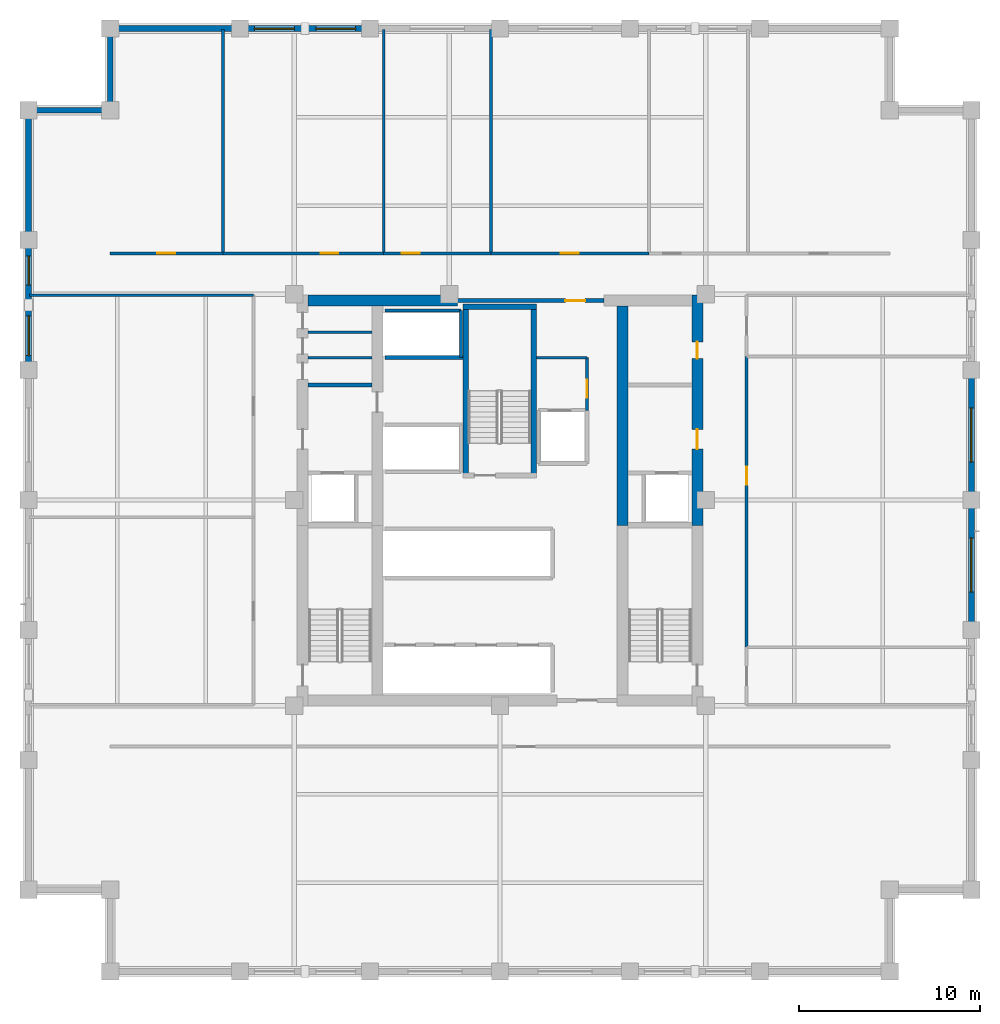
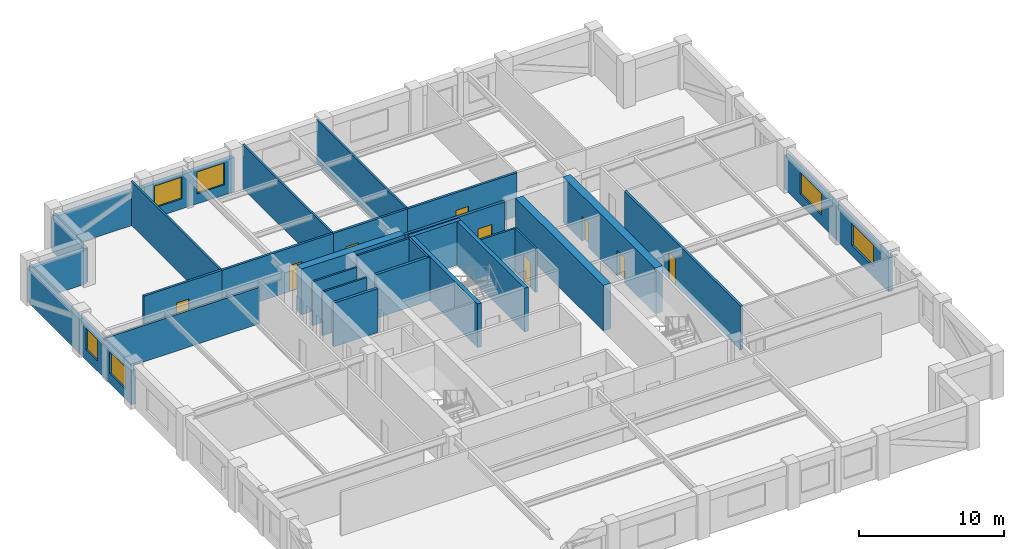
# One storey, part 7 of 9: 32 walls, 9 doors, 6 windows, 15 openings.
"""IFC4 building model written with IfcOpenShell, lengths in metres."""

from ifc_helpers import new_model, si_unit, direction, frame, frame_2d, origin, place, context, subcontext, project, spatial, rectangle, extrude, material, layer, layer_set, type_object, element, fill, save


model = new_model("IFC4")

# Units and contexts
model_context = context("Model", 3, precision=1e-05, world=origin(), true_north=direction((0.0, 1.0)))
body_context = subcontext(model_context, "Body", "Model", "MODEL_VIEW")
ifc_project = project(units=[si_unit("LENGTHUNIT", "METRE"), si_unit("AREAUNIT", "SQUARE_METRE"), si_unit("VOLUMEUNIT", "CUBIC_METRE"), si_unit("PLANEANGLEUNIT", "RADIAN"), si_unit("MASSUNIT", "GRAM", prefix="KILO")], contexts=[model_context])

# Site, building, storey
site_placement = place(None, origin())
site = spatial("IfcSite", under=ifc_project, at=site_placement, CompositionType="ELEMENT")
building_placement = place(site_placement, origin())
building = spatial("IfcBuilding", under=site, at=building_placement, Name="Nhamokura Convention Tower", CompositionType="ELEMENT")
storey_placement = place(building_placement, frame((0.0, 0.0, 118.300048828125)))
storey = spatial("IfcBuildingStorey", under=building, at=storey_placement, Name="L28", CompositionType="ELEMENT", Elevation=118.300048828125)

# Walls
ifc_material_1 = material(Name="Moisture-resistant tile-backer partition", Category="masonry")
ifc_layer_1 = layer(ifc_material_1, 0.139892578125)
ifc_layer_set_1 = layer_set([ifc_layer_1], Name="BathroomWetWall_140")
wall_type_1 = type_object("IfcWallType", Name="BathroomWetWall_140", PredefinedType="STANDARD", material=ifc_layer_set_1)
wall_1_placement = place(storey_placement, frame((21.409912109375, 39.85009765625, 0.0), z_axis=(0.0, 0.0, 1.0), x_axis=(1.0, 0.0, 0.0)))
element("IfcWall", 1, at=wall_1_placement, inside=storey, type_object=wall_type_1, Name="L28 Wall INT-L28-CWNW1", PredefinedType="STANDARD", context=body_context, shape_type="SweptSolid", body=[
    extrude(rectangle(XDim=3.530029296875, YDim=0.139892578125, at=frame_2d((1.76513671875, 0.0))), origin(), (0.0, 0.0, 1.0), 3.68505859375),
])
ifc_material_2 = material(Name="Bronze-pigmented precast concrete C45/55", Category="concrete")
ifc_layer_2 = layer(ifc_material_2, 0.320068359375)
ifc_layer_set_2 = layer_set([ifc_layer_2], Name="BronzePrecastSpandrel_320")
wall_type_2 = type_object("IfcWallType", Name="BronzePrecastSpandrel_320", PredefinedType="USERDEFINED", material=ifc_layer_set_2)
wall_2_placement = place(storey_placement, frame((10.5, 58.0, 0.0), z_axis=(0.0, 0.0, 1.0), x_axis=(1.0, 0.0, 0.0)))
element("IfcWall", 2, at=wall_2_placement, inside=storey, type_object=wall_type_2, Name="L28 Braced-Bay Precast Wall NORTH 0", ObjectType="SPANDREL_WALL", PredefinedType="USERDEFINED", context=body_context, shape_type="SweptSolid", body=[
    extrude(rectangle(XDim=7.166748046875, YDim=0.320068359375, at=frame_2d((3.58349609375, 0.0))), origin(), (0.0, 0.0, 1.0), 2.885009765625),
])

# Wall, openings, windows
wall_3_placement = place(storey_placement, frame((17.666748046875, 58.0, 0.0), z_axis=(0.0, 0.0, 1.0), x_axis=(1.0, 0.0, 0.0)))
wall_3 = element("IfcWall", 3, at=wall_3_placement, inside=storey, type_object=wall_type_2, Name="L28 Masonry-Frame Wall NORTH 1", ObjectType="SPANDREL_WALL", PredefinedType="USERDEFINED", context=body_context, shape_type="SweptSolid", body=[
    extrude(rectangle(XDim=7.16650390625, YDim=0.320068359375, at=frame_2d((3.583251953125, 0.0))), origin(), (0.0, 0.0, 1.0), 2.885009765625),
])
opening_1_placement = place(wall_3_placement, frame((0.791748046875, 0.0, 0.85009765625)))
opening_1 = element("IfcOpeningElement", 4, at=opening_1_placement, cuts=wall_3, Name="Opening W-06", PredefinedType="OPENING", context=body_context, shape_type="SweptSolid", body=[
    extrude(rectangle(XDim=2.199951171875, YDim=1.8349609375, at=frame_2d((1.10009765625, 0.91748046875))), frame((0.0, 0.169921875, 0.0), z_axis=(0.0, -1.0, 0.0), x_axis=(1.0, 0.0, 0.0)), (0.0, 0.0, 1.0), 0.340087890625),
])
opening_2_placement = place(wall_3_placement, frame((4.175048828125, 0.0, 0.85009765625)))
opening_2 = element("IfcOpeningElement", 5, at=opening_2_placement, cuts=wall_3, Name="Opening W-06", PredefinedType="OPENING", context=body_context, shape_type="SweptSolid", body=[
    extrude(rectangle(XDim=2.199951171875, YDim=1.8349609375, at=frame_2d((1.10009765625, 0.91748046875))), frame((0.0, 0.169921875, 0.0), z_axis=(0.0, -1.0, 0.0), x_axis=(1.0, 0.0, 0.0)), (0.0, 0.0, 1.0), 0.340087890625),
])
ifc_material_3 = material(Name="Solar-control bronze low-E double glass", Category="glass")
window_type_1 = type_object("IfcWindowType", Name="OfficeModuleWindow_Z2_2200", PartitioningType="SINGLE_PANEL", PredefinedType="WINDOW", material=ifc_material_3)
window_1_placement = place(opening_1_placement, origin())
window_1 = element("IfcWindow", 6, at=window_1_placement, inside=storey, type_object=window_type_1, Name="L28 Facade Window NORTH 1-1", OverallHeight=1.8349609375, OverallWidth=2.199951171875, PartitioningType="SINGLE_PANEL", PredefinedType="WINDOW", context=body_context, shape_type="SweptSolid", body=[
    extrude(rectangle(XDim=2.199951171875, YDim=1.8349609375, at=frame_2d((1.10009765625, 0.91748046875))), frame((0.0, 0.030029296875, 0.0), z_axis=(0.0, -1.0, 0.0), x_axis=(1.0, 0.0, 0.0)), (0.0, 0.0, 1.0), 0.06005859375),
])
fill(opening_1, window_1)
window_2_placement = place(opening_2_placement, origin())
window_2 = element("IfcWindow", 7, at=window_2_placement, inside=storey, type_object=window_type_1, Name="L28 Facade Window NORTH 1-2", OverallHeight=1.8349609375, OverallWidth=2.199951171875, PartitioningType="SINGLE_PANEL", PredefinedType="WINDOW", context=body_context, shape_type="SweptSolid", body=[
    extrude(rectangle(XDim=2.199951171875, YDim=1.8349609375, at=frame_2d((1.10009765625, 0.91748046875))), frame((0.0, 0.030029296875, 0.0), z_axis=(0.0, -1.0, 0.0), x_axis=(1.0, 0.0, 0.0)), (0.0, 0.0, 1.0), 0.06005859375),
])
fill(opening_2, window_2)

wall_4_placement = place(storey_placement, frame((6.0, 39.166748046875, 0.0), z_axis=(0.0, 0.0, 1.0), x_axis=(0.0, 1.0, 0.0)))
wall_4 = element("IfcWall", 8, at=wall_4_placement, inside=storey, type_object=wall_type_2, Name="L28 Masonry-Frame Wall WEST 4", ObjectType="SPANDREL_WALL", PredefinedType="USERDEFINED", context=body_context, shape_type="SweptSolid", body=[
    extrude(rectangle(XDim=7.16650390625, YDim=0.320068359375, at=frame_2d((3.583251953125, 0.0))), origin(), (0.0, 0.0, 1.0), 2.885009765625),
])
opening_3_placement = place(wall_4_placement, frame((0.791748046875, 0.0, 0.85009765625)))
opening_3 = element("IfcOpeningElement", 9, at=opening_3_placement, cuts=wall_4, Name="Opening W-06", PredefinedType="OPENING", context=body_context, shape_type="SweptSolid", body=[
    extrude(rectangle(XDim=2.199951171875, YDim=1.8349609375, at=frame_2d((1.10009765625, 0.91748046875))), frame((0.0, 0.169921875, 0.0), z_axis=(0.0, -1.0, 0.0), x_axis=(1.0, 0.0, 0.0)), (0.0, 0.0, 1.0), 0.340087890625),
])
opening_4_placement = place(wall_4_placement, frame((4.6875, 0.0, 0.85009765625)))
opening_4 = element("IfcOpeningElement", 10, at=opening_4_placement, cuts=wall_4, Name="Opening W-11", PredefinedType="OPENING", context=body_context, shape_type="SweptSolid", body=[
    extrude(rectangle(XDim=1.60009765625, YDim=1.8349609375, at=frame_2d((0.800048828125, 0.91748046875))), frame((0.0, 0.169921875, 0.0), z_axis=(0.0, -1.0, 0.0), x_axis=(1.0, 0.0, 0.0)), (0.0, 0.0, 1.0), 0.340087890625),
])
ifc_material_4 = material(Name="Solar-control bronze low-E double glass", Category="glass")
window_type_2 = type_object("IfcWindowType", Name="NotchCornerWindow_1600", PartitioningType="SINGLE_PANEL", PredefinedType="WINDOW", material=ifc_material_4)
window_3_placement = place(opening_4_placement, origin())
window_3 = element("IfcWindow", 11, at=window_3_placement, inside=storey, type_object=window_type_2, Name="L28 Facade Window WEST 4-2", OverallHeight=1.8349609375, OverallWidth=1.60009765625, PartitioningType="SINGLE_PANEL", PredefinedType="WINDOW", context=body_context, shape_type="SweptSolid", body=[
    extrude(rectangle(XDim=1.60009765625, YDim=1.8349609375, at=frame_2d((0.800048828125, 0.91748046875))), frame((0.0, 0.030029296875, 0.0), z_axis=(0.0, -1.0, 0.0), x_axis=(1.0, 0.0, 0.0)), (0.0, 0.0, 1.0), 0.06005859375),
])
fill(opening_4, window_3)
window_4_placement = place(opening_3_placement, origin())
window_4 = element("IfcWindow", 12, at=window_4_placement, inside=storey, type_object=window_type_1, Name="L28 Facade Window WEST 4-1", OverallHeight=1.8349609375, OverallWidth=2.199951171875, PartitioningType="SINGLE_PANEL", PredefinedType="WINDOW", context=body_context, shape_type="SweptSolid", body=[
    extrude(rectangle(XDim=2.199951171875, YDim=1.8349609375, at=frame_2d((1.10009765625, 0.91748046875))), frame((0.0, 0.030029296875, 0.0), z_axis=(0.0, -1.0, 0.0), x_axis=(1.0, 0.0, 0.0)), (0.0, 0.0, 1.0), 0.06005859375),
])
fill(opening_3, window_4)

# Wall
wall_5_placement = place(storey_placement, frame((6.0, 46.333251953125, 0.0), z_axis=(0.0, 0.0, 1.0), x_axis=(0.0, 1.0, 0.0)))
element("IfcWall", 13, at=wall_5_placement, inside=storey, type_object=wall_type_2, Name="L28 Braced-Bay Precast Wall WEST 5", ObjectType="SPANDREL_WALL", PredefinedType="USERDEFINED", context=body_context, shape_type="SweptSolid", body=[
    extrude(rectangle(XDim=7.166748046875, YDim=0.320068359375, at=frame_2d((3.58349609375, 0.0))), origin(), (0.0, 0.0, 1.0), 2.885009765625),
])

# Wall, opening, window
wall_6_placement = place(storey_placement, frame((58.0, 32.0, 0.0), z_axis=(0.0, 0.0, 1.0), x_axis=(0.0, -1.0, 0.0)))
wall_6 = element("IfcWall", 14, at=wall_6_placement, inside=storey, type_object=wall_type_2, Name="L28 Masonry-Frame Wall EAST 2", ObjectType="SPANDREL_WALL", PredefinedType="USERDEFINED", context=body_context, shape_type="SweptSolid", body=[
    extrude(rectangle(XDim=7.166748046875, YDim=0.320068359375, at=frame_2d((3.58349609375, 0.0))), origin(), (0.0, 0.0, 1.0), 2.885009765625),
])
opening_5_placement = place(wall_6_placement, frame((2.083251953125, 0.0, 0.85009765625)))
opening_5 = element("IfcOpeningElement", 15, at=opening_5_placement, cuts=wall_6, Name="Opening W-05", PredefinedType="OPENING", context=body_context, shape_type="SweptSolid", body=[
    extrude(rectangle(XDim=3.0, YDim=1.8349609375, at=frame_2d((1.5, 0.91748046875))), frame((0.0, 0.169921875, 0.0), z_axis=(0.0, -1.0, 0.0), x_axis=(1.0, 0.0, 0.0)), (0.0, 0.0, 1.0), 0.340087890625),
])
ifc_material_5 = material(Name="Solar-control bronze low-E double glass", Category="glass")
window_type_3 = type_object("IfcWindowType", Name="OfficeModuleWindow_Z2_3000", PartitioningType="DOUBLE_PANEL_VERTICAL", PredefinedType="WINDOW", material=ifc_material_5)
window_5_placement = place(opening_5_placement, origin())
window_5 = element("IfcWindow", 16, at=window_5_placement, inside=storey, type_object=window_type_3, Name="L28 Facade Window EAST 2", OverallHeight=1.8349609375, OverallWidth=3.0, PartitioningType="SINGLE_PANEL", PredefinedType="WINDOW", context=body_context, shape_type="SweptSolid", body=[
    extrude(rectangle(XDim=3.0, YDim=1.8349609375, at=frame_2d((1.5, 0.91748046875))), frame((0.0, 0.030029296875, 0.0), z_axis=(0.0, -1.0, 0.0), x_axis=(1.0, 0.0, 0.0)), (0.0, 0.0, 1.0), 0.06005859375),
])
fill(opening_5, window_5)

wall_7_placement = place(storey_placement, frame((58.0, 39.166748046875, 0.0), z_axis=(0.0, 0.0, 1.0), x_axis=(0.0, -1.0, 0.0)))
wall_7 = element("IfcWall", 17, at=wall_7_placement, inside=storey, type_object=wall_type_2, Name="L28 Masonry-Frame Wall EAST 3", ObjectType="SPANDREL_WALL", PredefinedType="USERDEFINED", context=body_context, shape_type="SweptSolid", body=[
    extrude(rectangle(XDim=7.166748046875, YDim=0.320068359375, at=frame_2d((3.58349609375, 0.0))), origin(), (0.0, 0.0, 1.0), 2.885009765625),
])
opening_6_placement = place(wall_7_placement, frame((2.083251953125, 0.0, 0.85009765625)))
opening_6 = element("IfcOpeningElement", 18, at=opening_6_placement, cuts=wall_7, Name="Opening W-05", PredefinedType="OPENING", context=body_context, shape_type="SweptSolid", body=[
    extrude(rectangle(XDim=3.0, YDim=1.8349609375, at=frame_2d((1.5, 0.91748046875))), frame((0.0, 0.169921875, 0.0), z_axis=(0.0, -1.0, 0.0), x_axis=(1.0, 0.0, 0.0)), (0.0, 0.0, 1.0), 0.340087890625),
])
window_6_placement = place(opening_6_placement, origin())
window_6 = element("IfcWindow", 19, at=window_6_placement, inside=storey, type_object=window_type_3, Name="L28 Facade Window EAST 3", OverallHeight=1.8349609375, OverallWidth=3.0, PartitioningType="SINGLE_PANEL", PredefinedType="WINDOW", context=body_context, shape_type="SweptSolid", body=[
    extrude(rectangle(XDim=3.0, YDim=1.8349609375, at=frame_2d((1.5, 0.91748046875))), frame((0.0, 0.030029296875, 0.0), z_axis=(0.0, -1.0, 0.0), x_axis=(1.0, 0.0, 0.0)), (0.0, 0.0, 1.0), 0.06005859375),
])
fill(opening_6, window_6)

# Walls
for number, where, z_axis, x_axis, name in (
    (20, (10.5, 53.5, 0.0), (0.0, 0.0, 1.0), (0.0, 1.0, 0.0), "L28 Notched Corner Wall NW1"),
    (21, (6.0, 53.5, 0.0), (0.0, 0.0, 1.0), (1.0, 0.0, 0.0), "L28 Notched Corner Wall NW2"),
):
    element("IfcWall", number, at=place(storey_placement, frame(where, z_axis=z_axis, x_axis=x_axis)), inside=storey, type_object=wall_type_2, Name=name, ObjectType="SPANDREL_WALL", PredefinedType="USERDEFINED", context=body_context, shape_type="SweptSolid", body=[
        extrude(rectangle(XDim=4.5, YDim=0.320068359375, at=frame_2d((2.25, 0.0))), origin(), (0.0, 0.0, 1.0), 2.885009765625),
    ])

# Wall, openings, doors
ifc_material_6 = material(Name="Concrete C60/75", Category="concrete")
ifc_layer_3 = layer(ifc_material_6, 0.60009765625)
ifc_layer_set_3 = layer_set([ifc_layer_3], Name="CoreShearWall_600")
wall_type_3 = type_object("IfcWallType", Name="CoreShearWall_600", PredefinedType="SHEAR", material=ifc_layer_set_3)
wall_8_placement = place(storey_placement, frame((42.889892578125, 30.60009765625, 0.0), z_axis=(0.0, 0.0, 1.0), x_axis=(0.0, 1.0, 0.0)))
wall_8 = element("IfcWall", 22, at=wall_8_placement, inside=storey, type_object=wall_type_3, Name="L28 Core Shear Wall CW-EN", PredefinedType="SHEAR", context=body_context, shape_type="SweptSolid", body=[
    extrude(rectangle(XDim=12.699951171875, YDim=0.60009765625, at=frame_2d((6.35009765625, 0.0))), origin(), (0.0, 0.0, 1.0), 3.849853515625),
])
opening_7_placement = place(wall_8_placement, frame((4.199951171875, 0.0, 0.0)))
opening_7 = element("IfcOpeningElement", 23, at=opening_7_placement, cuts=wall_8, Name="Opening D-05", PredefinedType="OPENING", context=body_context, shape_type="SweptSolid", body=[
    extrude(rectangle(XDim=1.10009765625, YDim=2.14990234375, at=frame_2d((0.550048828125, 1.074951171875))), frame((0.0, 0.31005859375, 0.0), z_axis=(0.0, -1.0, 0.0), x_axis=(1.0, 0.0, 0.0)), (0.0, 0.0, 1.0), 0.6201171875),
])
opening_8_placement = place(wall_8_placement, frame((9.199951171875, 0.0, 0.0)))
opening_8 = element("IfcOpeningElement", 24, at=opening_8_placement, cuts=wall_8, Name="Opening D-10", PredefinedType="OPENING", context=body_context, shape_type="SweptSolid", body=[
    extrude(rectangle(XDim=0.919921875, YDim=2.10009765625, at=frame_2d((0.4599609375, 1.050048828125))), frame((0.0, 0.31005859375, 0.0), z_axis=(0.0, -1.0, 0.0), x_axis=(1.0, 0.0, 0.0)), (0.0, 0.0, 1.0), 0.6201171875),
])
ifc_material_7 = material(Name="Solid oak hardwood", Category="wood")
door_type_1 = type_object("IfcDoorType", Name="AccessibleWCDoor_920", OperationType="NOTDEFINED", PredefinedType="DOOR", material=ifc_material_7)
door_1_placement = place(opening_8_placement, origin())
door_1 = element("IfcDoor", 25, at=door_1_placement, inside=storey, type_object=door_type_1, Name="L28 Core Door INT-L28-D-UWC", OperationType="SINGLE_SWING_RIGHT", OverallHeight=2.10009765625, OverallWidth=0.919921875, PredefinedType="DOOR", context=body_context, shape_type="SweptSolid", body=[
    extrude(rectangle(XDim=0.919921875, YDim=2.10009765625, at=frame_2d((0.4599609375, 1.050048828125))), frame((0.0, 0.02490234375, 0.0), z_axis=(0.0, -1.0, 0.0), x_axis=(1.0, 0.0, 0.0)), (0.0, 0.0, 1.0), 0.050048828125),
])
fill(opening_8, door_1)
ifc_material_8 = material(Name="Fire-rated steel door", Category="steel")
door_type_2 = type_object("IfcDoorType", Name="FireLobbyDoor_1100", OperationType="NOTDEFINED", PredefinedType="DOOR", material=ifc_material_8)
door_2_placement = place(opening_7_placement, origin())
door_2 = element("IfcDoor", 26, at=door_2_placement, inside=storey, type_object=door_type_2, Name="L28 Core Door INT-L28-D-FFLE", OperationType="SINGLE_SWING_LEFT", OverallHeight=2.14990234375, OverallWidth=1.10009765625, PredefinedType="DOOR", context=body_context, shape_type="SweptSolid", body=[
    extrude(rectangle(XDim=1.10009765625, YDim=2.14990234375, at=frame_2d((0.550048828125, 1.074951171875))), frame((0.0, 0.02490234375, 0.0), z_axis=(0.0, -1.0, 0.0), x_axis=(1.0, 0.0, 0.0)), (0.0, 0.0, 1.0), 0.050048828125),
])
fill(opening_7, door_2)

# Walls
wall_9_placement = place(storey_placement, frame((21.409912109375, 43.0, 0.0), z_axis=(0.0, 0.0, 1.0), x_axis=(1.0, 0.0, 0.0)))
element("IfcWall", 27, at=wall_9_placement, inside=storey, type_object=wall_type_3, Name="L28 Core Shear Wall CW-N1", PredefinedType="SHEAR", context=body_context, shape_type="SweptSolid", body=[
    extrude(rectangle(XDim=8.239990234375, YDim=0.60009765625, at=frame_2d((4.1201171875, 0.0))), origin(), (0.0, 0.0, 1.0), 3.849853515625),
])
wall_10_placement = place(storey_placement, frame((38.760009765625, 30.60009765625, 0.0), z_axis=(0.0, 0.0, 1.0), x_axis=(0.0, 1.0, 0.0)))
element("IfcWall", 28, at=wall_10_placement, inside=storey, type_object=wall_type_3, Name="L28 Core Shear Wall CW-IEN", PredefinedType="SHEAR", context=body_context, shape_type="SweptSolid", body=[
    extrude(rectangle(XDim=12.099853515625, YDim=0.60009765625, at=frame_2d((6.0498046875, 0.0))), origin(), (0.0, 0.0, 1.0), 3.849853515625),
])

# Wall, opening, door
ifc_material_9 = material(Name="Fire-rated gypsum and masonry partition", Category="masonry")
ifc_layer_4 = layer(ifc_material_9, 0.179931640625)
ifc_layer_set_4 = layer_set([ifc_layer_4], Name="CorridorRatedWall_180")
wall_type_4 = type_object("IfcWallType", Name="CorridorRatedWall_180", PredefinedType="STANDARD", material=ifc_layer_set_4)
wall_11_placement = place(storey_placement, frame((10.5, 45.60009765625, 0.0), z_axis=(0.0, 0.0, 1.0), x_axis=(1.0, 0.0, 0.0)))
wall_11 = element("IfcWall", 29, at=wall_11_placement, inside=storey, type_object=wall_type_4, Name="L28 Wall INT-L28-CW-N00", PredefinedType="STANDARD", context=body_context, shape_type="SweptSolid", body=[
    extrude(rectangle(XDim=6.216796875, YDim=0.179931640625, at=frame_2d((3.1083984375, 0.0))), origin(), (0.0, 0.0, 1.0), 3.68505859375),
])
opening_9_placement = place(wall_11_placement, frame((2.6083984375, 0.0, 0.0)))
opening_9 = element("IfcOpeningElement", 30, at=opening_9_placement, cuts=wall_11, Name="Opening D-08", PredefinedType="OPENING", context=body_context, shape_type="SweptSolid", body=[
    extrude(rectangle(XDim=0.97998046875, YDim=2.199951171875, at=frame_2d((0.489990234375, 1.10009765625))), frame((0.0, 0.099853515625, 0.0), z_axis=(0.0, -1.0, 0.0), x_axis=(1.0, 0.0, 0.0)), (0.0, 0.0, 1.0), 0.199951171875),
])
ifc_material_10 = material(Name="Solid oak hardwood", Category="wood")
door_type_3 = type_object("IfcDoorType", Name="OfficeEntryDoor_980", OperationType="NOTDEFINED", PredefinedType="DOOR", material=ifc_material_10)
door_3_placement = place(opening_9_placement, origin())
door_3 = element("IfcDoor", 31, at=door_3_placement, inside=storey, type_object=door_type_3, Name="L28 Private Office N01 Door", OperationType="SINGLE_SWING_LEFT", OverallHeight=2.199951171875, OverallWidth=0.97998046875, PredefinedType="DOOR", context=body_context, shape_type="SweptSolid", body=[
    extrude(rectangle(XDim=0.97998046875, YDim=2.199951171875, at=frame_2d((0.489990234375, 1.10009765625))), frame((0.0, 0.02490234375, 0.0), z_axis=(0.0, -1.0, 0.0), x_axis=(1.0, 0.0, 0.0)), (0.0, 0.0, 1.0), 0.050048828125),
])
fill(opening_9, door_3)

wall_12_placement = place(storey_placement, frame((16.716796875, 45.60009765625, 0.0), z_axis=(0.0, 0.0, 1.0), x_axis=(1.0, 0.0, 0.0)))
wall_12 = element("IfcWall", 32, at=wall_12_placement, inside=storey, type_object=wall_type_4, Name="L28 Wall INT-L28-CW-N01", PredefinedType="STANDARD", context=body_context, shape_type="SweptSolid", body=[
    extrude(rectangle(XDim=8.866455078125, YDim=0.179931640625, at=frame_2d((4.43310546875, 0.0))), origin(), (0.0, 0.0, 1.0), 3.68505859375),
])
opening_10_placement = place(wall_12_placement, frame((5.38330078125, 0.0, 0.0)))
opening_10 = element("IfcOpeningElement", 33, at=opening_10_placement, cuts=wall_12, Name="Opening D-08", PredefinedType="OPENING", context=body_context, shape_type="SweptSolid", body=[
    extrude(rectangle(XDim=0.97998046875, YDim=2.199951171875, at=frame_2d((0.489990234375, 1.10009765625))), frame((0.0, 0.099853515625, 0.0), z_axis=(0.0, -1.0, 0.0), x_axis=(1.0, 0.0, 0.0)), (0.0, 0.0, 1.0), 0.199951171875),
])
door_4_placement = place(opening_10_placement, origin())
door_4 = element("IfcDoor", 34, at=door_4_placement, inside=storey, type_object=door_type_3, Name="L28 Private Office N02 Door", OperationType="SINGLE_SWING_RIGHT", OverallHeight=2.199951171875, OverallWidth=0.97998046875, PredefinedType="DOOR", context=body_context, shape_type="SweptSolid", body=[
    extrude(rectangle(XDim=0.97998046875, YDim=2.199951171875, at=frame_2d((0.489990234375, 1.10009765625))), frame((0.0, 0.02490234375, 0.0), z_axis=(0.0, -1.0, 0.0), x_axis=(1.0, 0.0, 0.0)), (0.0, 0.0, 1.0), 0.050048828125),
])
fill(opening_10, door_4)

wall_13_placement = place(storey_placement, frame((25.583251953125, 45.60009765625, 0.0), z_axis=(0.0, 0.0, 1.0), x_axis=(1.0, 0.0, 0.0)))
wall_13 = element("IfcWall", 35, at=wall_13_placement, inside=storey, type_object=wall_type_4, Name="L28 Wall INT-L28-CW-N02", PredefinedType="STANDARD", context=body_context, shape_type="SweptSolid", body=[
    extrude(rectangle(XDim=5.916748046875, YDim=0.179931640625, at=frame_2d((2.95849609375, 0.0))), origin(), (0.0, 0.0, 1.0), 3.68505859375),
])
opening_11_placement = place(wall_13_placement, frame((1.00830078125, 0.0, 0.0)))
opening_11 = element("IfcOpeningElement", 36, at=opening_11_placement, cuts=wall_13, Name="Opening D-08", PredefinedType="OPENING", context=body_context, shape_type="SweptSolid", body=[
    extrude(rectangle(XDim=0.97998046875, YDim=2.199951171875, at=frame_2d((0.489990234375, 1.10009765625))), frame((0.0, 0.099853515625, 0.0), z_axis=(0.0, -1.0, 0.0), x_axis=(1.0, 0.0, 0.0)), (0.0, 0.0, 1.0), 0.199951171875),
])
door_5_placement = place(opening_11_placement, origin())
door_5 = element("IfcDoor", 37, at=door_5_placement, inside=storey, type_object=door_type_3, Name="L28 Meeting Room N03 Door", OperationType="SINGLE_SWING_LEFT", OverallHeight=2.199951171875, OverallWidth=0.97998046875, PredefinedType="DOOR", context=body_context, shape_type="SweptSolid", body=[
    extrude(rectangle(XDim=0.97998046875, YDim=2.199951171875, at=frame_2d((0.489990234375, 1.10009765625))), frame((0.0, 0.02490234375, 0.0), z_axis=(0.0, -1.0, 0.0), x_axis=(1.0, 0.0, 0.0)), (0.0, 0.0, 1.0), 0.050048828125),
])
fill(opening_11, door_5)

wall_14_placement = place(storey_placement, frame((31.5, 45.60009765625, 0.0), z_axis=(0.0, 0.0, 1.0), x_axis=(1.0, 0.0, 0.0)))
wall_14 = element("IfcWall", 38, at=wall_14_placement, inside=storey, type_object=wall_type_4, Name="L28 Wall INT-L28-CW-N03", PredefinedType="STANDARD", context=body_context, shape_type="SweptSolid", body=[
    extrude(rectangle(XDim=8.716796875, YDim=0.179931640625, at=frame_2d((4.3583984375, 0.0))), origin(), (0.0, 0.0, 1.0), 3.68505859375),
])
opening_12_placement = place(wall_14_placement, frame((3.8583984375, 0.0, 0.0)))
opening_12 = element("IfcOpeningElement", 39, at=opening_12_placement, cuts=wall_14, Name="Opening D-08", PredefinedType="OPENING", context=body_context, shape_type="SweptSolid", body=[
    extrude(rectangle(XDim=0.97998046875, YDim=2.199951171875, at=frame_2d((0.489990234375, 1.10009765625))), frame((0.0, 0.099853515625, 0.0), z_axis=(0.0, -1.0, 0.0), x_axis=(1.0, 0.0, 0.0)), (0.0, 0.0, 1.0), 0.199951171875),
])
door_6_placement = place(opening_12_placement, origin())
door_6 = element("IfcDoor", 40, at=door_6_placement, inside=storey, type_object=door_type_3, Name="L28 Private Office N04 Door", OperationType="SINGLE_SWING_RIGHT", OverallHeight=2.199951171875, OverallWidth=0.97998046875, PredefinedType="DOOR", context=body_context, shape_type="SweptSolid", body=[
    extrude(rectangle(XDim=0.97998046875, YDim=2.199951171875, at=frame_2d((0.489990234375, 1.10009765625))), frame((0.0, 0.02490234375, 0.0), z_axis=(0.0, -1.0, 0.0), x_axis=(1.0, 0.0, 0.0)), (0.0, 0.0, 1.0), 0.050048828125),
])
fill(opening_12, door_6)

wall_15_placement = place(storey_placement, frame((45.60009765625, 23.88330078125, 0.0), z_axis=(0.0, 0.0, 1.0), x_axis=(0.0, 1.0, 0.0)))
wall_15 = element("IfcWall", 41, at=wall_15_placement, inside=storey, type_object=wall_type_4, Name="L28 Wall INT-L28-CW-E01", PredefinedType="STANDARD", context=body_context, shape_type="SweptSolid", body=[
    extrude(rectangle(XDim=16.033447265625, YDim=0.179931640625, at=frame_2d((8.0166015625, 0.0))), origin(), (0.0, 0.0, 1.0), 3.68505859375),
])
opening_13_placement = place(wall_15_placement, frame((8.966796875, 0.0, 0.0)))
opening_13 = element("IfcOpeningElement", 42, at=opening_13_placement, cuts=wall_15, Name="Opening D-08", PredefinedType="OPENING", context=body_context, shape_type="SweptSolid", body=[
    extrude(rectangle(XDim=0.97998046875, YDim=2.199951171875, at=frame_2d((0.489990234375, 1.10009765625))), frame((0.0, 0.099853515625, 0.0), z_axis=(0.0, -1.0, 0.0), x_axis=(1.0, 0.0, 0.0)), (0.0, 0.0, 1.0), 0.199951171875),
])
door_7_placement = place(opening_13_placement, origin())
door_7 = element("IfcDoor", 43, at=door_7_placement, inside=storey, type_object=door_type_3, Name="L28 Private Office E02 Door", OperationType="SINGLE_SWING_RIGHT", OverallHeight=2.199951171875, OverallWidth=0.97998046875, PredefinedType="DOOR", context=body_context, shape_type="SweptSolid", body=[
    extrude(rectangle(XDim=0.97998046875, YDim=2.199951171875, at=frame_2d((0.489990234375, 1.10009765625))), frame((0.0, 0.02490234375, 0.0), z_axis=(0.0, -1.0, 0.0), x_axis=(1.0, 0.0, 0.0)), (0.0, 0.0, 1.0), 0.050048828125),
])
fill(opening_13, door_7)

# Walls
ifc_material_11 = material(Name="Autoclaved concrete blockwork", Category="masonry")
ifc_layer_5 = layer(ifc_material_11, 0.219970703125)
ifc_layer_set_5 = layer_set([ifc_layer_5], Name="FireLobbyWall_220")
wall_type_5 = type_object("IfcWallType", Name="FireLobbyWall_220", PredefinedType="STANDARD", material=ifc_layer_set_5)
wall_16_placement = place(storey_placement, frame((21.409912109375, 38.35009765625, 0.0), z_axis=(0.0, 0.0, 1.0), x_axis=(1.0, 0.0, 0.0)))
element("IfcWall", 44, at=wall_16_placement, inside=storey, type_object=wall_type_5, Name="L28 Wall INT-L28-FFW-N", PredefinedType="STANDARD", context=body_context, shape_type="SweptSolid", body=[
    extrude(rectangle(XDim=3.530029296875, YDim=0.219970703125, at=frame_2d((1.76513671875, 0.0))), origin(), (0.0, 0.0, 1.0), 3.68505859375),
])
wall_17_placement = place(storey_placement, frame((25.64990234375, 39.85009765625, 0.0), z_axis=(0.0, 0.0, 1.0), x_axis=(1.0, 0.0, 0.0)))
element("IfcWall", 45, at=wall_17_placement, inside=storey, type_object=wall_type_5, Name="L28 Wall INT-L28-B3N", PredefinedType="STANDARD", context=body_context, shape_type="SweptSolid", body=[
    extrude(rectangle(XDim=4.300048828125, YDim=0.219970703125, at=frame_2d((2.14990234375, 0.0))), origin(), (0.0, 0.0, 1.0), 3.68505859375),
])

# Wall, opening, door
wall_18_placement = place(storey_placement, frame((29.64990234375, 43.0, 0.0), z_axis=(0.0, 0.0, 1.0), x_axis=(1.0, 0.0, 0.0)))
wall_18 = element("IfcWall", 46, at=wall_18_placement, inside=storey, type_object=wall_type_5, Name="L28 Wall INT-L28-CPORT-N", PredefinedType="STANDARD", context=body_context, shape_type="SweptSolid", body=[
    extrude(rectangle(XDim=8.10009765625, YDim=0.219970703125, at=frame_2d((4.050048828125, 0.0))), origin(), (0.0, 0.0, 1.0), 3.68505859375),
])
opening_14_placement = place(wall_18_placement, frame((5.949951171875, 0.0, 0.0)))
opening_14 = element("IfcOpeningElement", 47, at=opening_14_placement, cuts=wall_18, Name="Opening D-05", PredefinedType="OPENING", context=body_context, shape_type="SweptSolid", body=[
    extrude(rectangle(XDim=1.10009765625, YDim=2.14990234375, at=frame_2d((0.550048828125, 1.074951171875))), frame((0.0, 0.119873046875, 0.0), z_axis=(0.0, -1.0, 0.0), x_axis=(1.0, 0.0, 0.0)), (0.0, 0.0, 1.0), 0.239990234375),
])
door_8_placement = place(opening_14_placement, origin())
door_8 = element("IfcDoor", 48, at=door_8_placement, inside=storey, type_object=door_type_2, Name="L28 North Core Lobby Portal Door", OperationType="SINGLE_SWING_RIGHT", OverallHeight=2.14990234375, OverallWidth=1.10009765625, PredefinedType="DOOR", context=body_context, shape_type="SweptSolid", body=[
    extrude(rectangle(XDim=1.10009765625, YDim=2.14990234375, at=frame_2d((0.550048828125, 1.074951171875))), frame((0.0, 0.02490234375, 0.0), z_axis=(0.0, -1.0, 0.0), x_axis=(1.0, 0.0, 0.0)), (0.0, 0.0, 1.0), 0.050048828125),
])
fill(opening_14, door_8)

# Walls
ifc_material_12 = material(Name="Acoustic gypsum stud partition", Category="masonry")
ifc_layer_6 = layer(ifc_material_12, 0.14990234375)
ifc_layer_set_6 = layer_set([ifc_layer_6], Name="InteriorPartition_150")
wall_type_6 = type_object("IfcWallType", Name="InteriorPartition_150", PredefinedType="STANDARD", material=ifc_layer_set_6)
wall_19_placement = place(storey_placement, frame((21.409912109375, 41.25, 0.0), z_axis=(0.0, 0.0, 1.0), x_axis=(1.0, 0.0, 0.0)))
element("IfcWall", 49, at=wall_19_placement, inside=storey, type_object=wall_type_6, Name="L28 Wall INT-L28-CWNW2", PredefinedType="STANDARD", context=body_context, shape_type="SweptSolid", body=[
    extrude(rectangle(XDim=3.530029296875, YDim=0.14990234375, at=frame_2d((1.76513671875, 0.0))), origin(), (0.0, 0.0, 1.0), 3.68505859375),
])
wall_20_placement = place(storey_placement, frame((34.0, 39.85009765625, 0.0), z_axis=(0.0, 0.0, 1.0), x_axis=(1.0, 0.0, 0.0)))
element("IfcWall", 50, at=wall_20_placement, inside=storey, type_object=wall_type_6, Name="L28 Wall INT-L28-NE-TELN", PredefinedType="STANDARD", context=body_context, shape_type="SweptSolid", body=[
    extrude(rectangle(XDim=2.800048828125, YDim=0.14990234375, at=frame_2d((1.39990234375, 0.0))), origin(), (0.0, 0.0, 1.0), 3.68505859375),
])

# Wall, opening, door
wall_21_placement = place(storey_placement, frame((36.800048828125, 36.949951171875, 0.0), z_axis=(0.0, 0.0, 1.0), x_axis=(0.0, 1.0, 0.0)))
wall_21 = element("IfcWall", 51, at=wall_21_placement, inside=storey, type_object=wall_type_6, Name="L28 Wall INT-L28-NE-TELE", PredefinedType="STANDARD", context=body_context, shape_type="SweptSolid", body=[
    extrude(rectangle(XDim=2.900146484375, YDim=0.14990234375, at=frame_2d((1.4501953125, 0.0))), origin(), (0.0, 0.0, 1.0), 3.68505859375),
])
opening_15_placement = place(wall_21_placement, frame((0.699951171875, 0.0, 0.0)))
opening_15 = element("IfcOpeningElement", 52, at=opening_15_placement, cuts=wall_21, Name="Opening D-08", PredefinedType="OPENING", context=body_context, shape_type="SweptSolid", body=[
    extrude(rectangle(XDim=0.97998046875, YDim=2.199951171875, at=frame_2d((0.489990234375, 1.10009765625))), frame((0.0, 0.0849609375, 0.0), z_axis=(0.0, -1.0, 0.0), x_axis=(1.0, 0.0, 0.0)), (0.0, 0.0, 1.0), 0.169921875),
])
door_9_placement = place(opening_15_placement, origin())
door_9 = element("IfcDoor", 53, at=door_9_placement, inside=storey, type_object=door_type_3, Name="L28 Core Telecom Door", OperationType="SINGLE_SWING_LEFT", OverallHeight=2.199951171875, OverallWidth=0.97998046875, PredefinedType="DOOR", context=body_context, shape_type="SweptSolid", body=[
    extrude(rectangle(XDim=0.97998046875, YDim=2.199951171875, at=frame_2d((0.489990234375, 1.10009765625))), frame((0.0, 0.02490234375, 0.0), z_axis=(0.0, -1.0, 0.0), x_axis=(1.0, 0.0, 0.0)), (0.0, 0.0, 1.0), 0.050048828125),
])
fill(opening_15, door_9)

# Walls
wall_22_placement = place(storey_placement, frame((25.64990234375, 42.449951171875, 0.0), z_axis=(0.0, 0.0, 1.0), x_axis=(1.0, 0.0, 0.0)))
element("IfcWall", 54, at=wall_22_placement, inside=storey, type_object=wall_type_6, Name="L28 Wall INT-L28-B3B-N", PredefinedType="STANDARD", context=body_context, shape_type="SweptSolid", body=[
    extrude(rectangle(XDim=4.2001953125, YDim=0.14990234375, at=frame_2d((2.10009765625, 0.0))), origin(), (0.0, 0.0, 1.0), 3.68505859375),
])
wall_23_placement = place(storey_placement, frame((29.85009765625, 39.85009765625, 0.0), z_axis=(0.0, 0.0, 1.0), x_axis=(0.0, 1.0, 0.0)))
element("IfcWall", 55, at=wall_23_placement, inside=storey, type_object=wall_type_6, Name="L28 Wall INT-L28-B3B-E", PredefinedType="STANDARD", context=body_context, shape_type="SweptSolid", body=[
    extrude(rectangle(XDim=2.599853515625, YDim=0.14990234375, at=frame_2d((1.2998046875, 0.0))), origin(), (0.0, 0.0, 1.0), 3.68505859375),
])
for number, where, z_axis, x_axis, name in (
    (56, (16.716796875, 45.60009765625, 0.0), (0.0, 0.0, 1.0), (0.0, 1.0, 0.0), "L28 Wall INT-L28-RW-N01"),
    (57, (25.583251953125, 45.60009765625, 0.0), (0.0, 0.0, 1.0), (0.0, 1.0, 0.0), "L28 Wall INT-L28-RW-N02"),
    (58, (31.5, 45.60009765625, 0.0), (0.0, 0.0, 1.0), (0.0, 1.0, 0.0), "L28 Wall INT-L28-RW-N03"),
):
    element("IfcWall", number, at=place(storey_placement, frame(where, z_axis=z_axis, x_axis=x_axis)), inside=storey, type_object=wall_type_6, Name=name, PredefinedType="STANDARD", context=body_context, shape_type="SweptSolid", body=[
        extrude(rectangle(XDim=12.33984375, YDim=0.14990234375, at=frame_2d((6.169921875, 0.0))), origin(), (0.0, 0.0, 1.0), 3.68505859375),
    ])
wall_24_placement = place(storey_placement, frame((6.06005859375, 43.300048828125, 0.0), z_axis=(0.0, 0.0, 1.0), x_axis=(1.0, 0.0, 0.0)))
element("IfcWall", 59, at=wall_24_placement, inside=storey, type_object=wall_type_6, Name="L28 Wall INT-L28-RWT-W", PredefinedType="STANDARD", context=body_context, shape_type="SweptSolid", body=[
    extrude(rectangle(XDim=12.33984375, YDim=0.14990234375, at=frame_2d((6.169921875, 0.0))), origin(), (0.0, 0.0, 1.0), 3.06494140625),
])
ifc_material_13 = material(Name="Concrete C50/60", Category="concrete")
ifc_layer_7 = layer(ifc_material_13, 0.300048828125)
ifc_layer_set_7 = layer_set([ifc_layer_7], Name="ShaftEnclosureWall_300")
wall_type_7 = type_object("IfcWallType", Name="ShaftEnclosureWall_300", PredefinedType="SHEAR", material=ifc_layer_set_7)
for number, where, z_axis, x_axis, name in (
    (60, (30.10009765625, 33.199951171875, 0.0), (0.0, 0.0, 1.0), (0.0, 1.0, 0.0), "L28 Wall INT-L28-ST03W"),
    (61, (33.85009765625, 33.199951171875, 0.0), (0.0, 0.0, 1.0), (0.0, 1.0, 0.0), "L28 Wall INT-L28-ST03E"),
):
    element("IfcWall", number, at=place(storey_placement, frame(where, z_axis=z_axis, x_axis=x_axis)), inside=storey, type_object=wall_type_7, Name=name, PredefinedType="SHEAR", context=body_context, shape_type="SweptSolid", body=[
        extrude(rectangle(XDim=9.60009765625, YDim=0.300048828125, at=frame_2d((4.800048828125, 0.0))), origin(), (0.0, 0.0, 1.0), 3.68505859375),
    ])
wall_25_placement = place(storey_placement, frame((29.949951171875, 42.64990234375, 0.0), z_axis=(0.0, 0.0, 1.0), x_axis=(1.0, 0.0, 0.0)))
element("IfcWall", 62, at=wall_25_placement, inside=storey, type_object=wall_type_7, Name="L28 Wall INT-L28-ST03N", PredefinedType="SHEAR", context=body_context, shape_type="SweptSolid", body=[
    extrude(rectangle(XDim=4.050048828125, YDim=0.300048828125, at=frame_2d((2.02490234375, 0.0))), origin(), (0.0, 0.0, 1.0), 3.68505859375),
])

save(model, "model.ifc")
